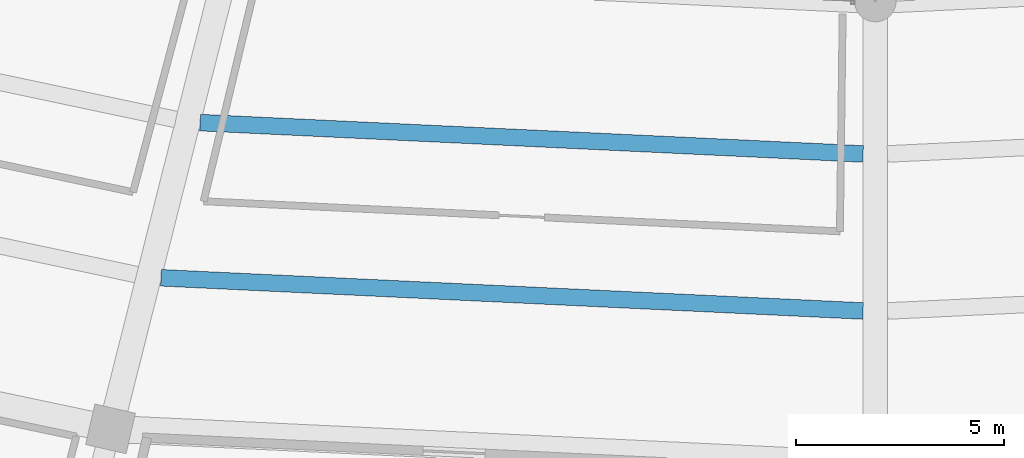
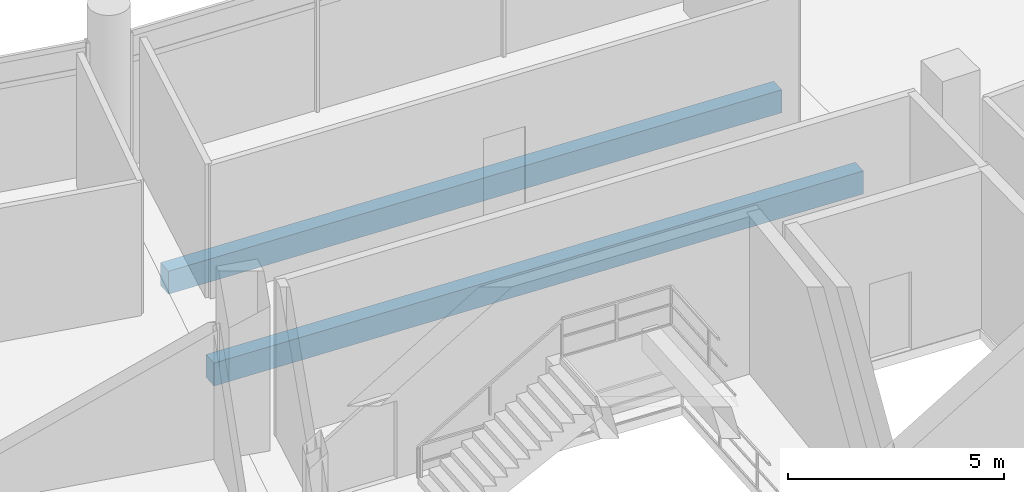
# One storey, part 24 of 171: 2 beams.
"""IFC4 building model written with IfcOpenShell, lengths in metres."""

from ifc_helpers import new_model, si_unit, direction, frame, origin, origin_2d, place, context, subcontext, project, spatial, rectangle, extrude, material, material_profile, profile_set, type_object, element, save


model = new_model("IFC4")

# Units and contexts
model_context = context("Model", 3, precision=1e-05, world=origin(), true_north=direction((0.0, 1.0)))
body_context = subcontext(model_context, "Body", "Model", "MODEL_VIEW")
ifc_project = project(units=[si_unit("LENGTHUNIT", "METRE"), si_unit("AREAUNIT", "SQUARE_METRE"), si_unit("VOLUMEUNIT", "CUBIC_METRE"), si_unit("PLANEANGLEUNIT", "RADIAN"), si_unit("MASSUNIT", "GRAM", prefix="KILO")], contexts=[model_context])

# Site, building, storey
site_placement = place(None, origin())
site = spatial("IfcSite", under=ifc_project, at=site_placement, CompositionType="ELEMENT")
building_placement = place(site_placement, origin())
building = spatial("IfcBuilding", under=site, at=building_placement, Name="Kazemori Nagisa Stadium", CompositionType="ELEMENT")
storey_placement = place(building_placement, frame((0.0, 0.0, 15.639892578125)))
storey = spatial("IfcBuildingStorey", under=building, at=storey_placement, Name="L03", CompositionType="ELEMENT", Elevation=15.639892578125)

# Beams
ifc_material = material(Name="Concrete C40/50 (Fc42)", Category="concrete")
ifc_material_profile = material_profile(ifc_material, rectangle(XDim=0.39990234375, YDim=0.64990234375, at=origin_2d()), Name="RC-BM-400x650")
ifc_profile_set = profile_set([ifc_material_profile], Name="Concrete C40/50 (Fc42)")
beam_type = type_object("IfcBeamType", Name="Beam_BJ-RC400X650", PredefinedType="JOIST", material=ifc_profile_set)
beam_1_placement = place(storey_placement, frame((106.73095703125, 36.291259765625, -0.5849609375), z_axis=(0.998883867028, -0.047233676462, 0.0), x_axis=(0.047233676462, 0.998883867028, 0.0)))
element("IfcBeam", 1, at=beam_1_placement, inside=storey, type_object=beam_type, Name="Concourse joist BJ-RC400X650 L03 B21-1", PredefinedType="JOIST", context=body_context, shape_type="SweptSolid", body=[
    extrude(rectangle(XDim=0.39990234375, YDim=0.64990234375, at=origin_2d()), origin(), (0.0, 0.0, 1.0), 15.9921875),
])
beam_2_placement = place(storey_placement, frame((105.788330078125, 32.5517578125, -0.5849609375), z_axis=(0.998884256715, -0.047225434754, 0.0), x_axis=(0.047225434754, 0.998884256715, 0.0)))
element("IfcBeam", 2, at=beam_2_placement, inside=storey, type_object=beam_type, Name="Concourse joist BJ-RC400X650 L03 B21-2", PredefinedType="JOIST", context=body_context, shape_type="SweptSolid", body=[
    extrude(rectangle(XDim=0.39990234375, YDim=0.64990234375, at=origin_2d()), origin(), (0.0, 0.0, 1.0), 16.935791015625),
])

save(model, "model.ifc")
